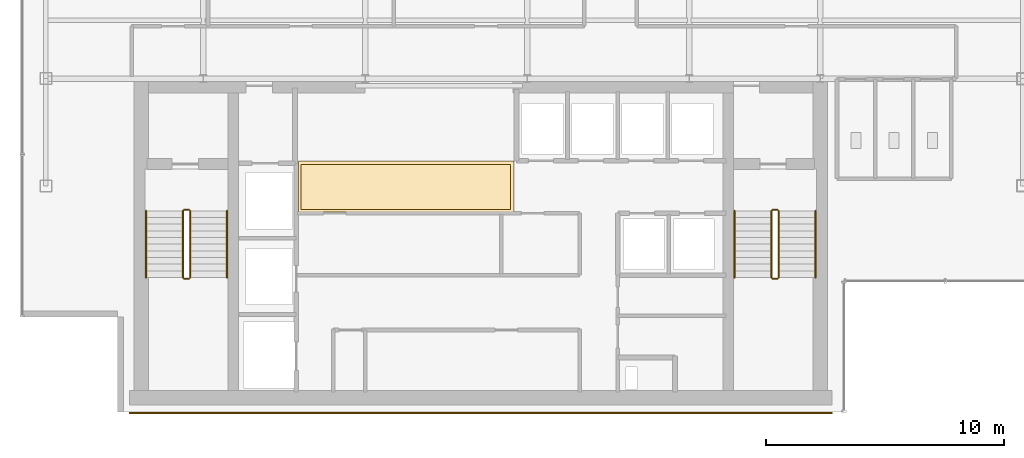
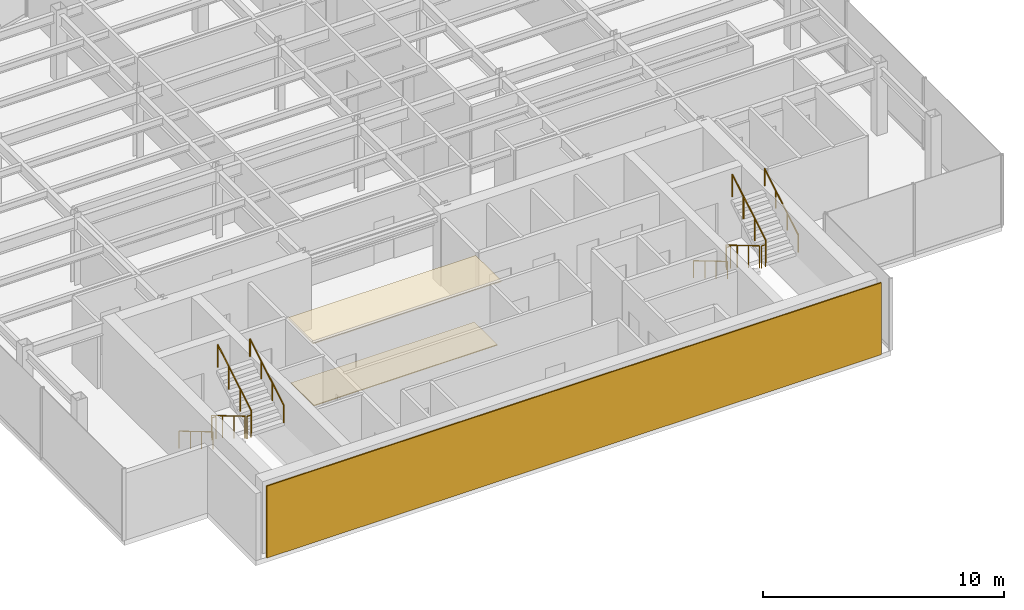
# One storey, part 20 of 22: 12 railings, 3 coverings.
"""IFC4 building model written with IfcOpenShell, lengths in metres."""

from ifc_helpers import new_model, si_unit, derived_unit, direction, frame, origin, origin_2d, place, context, subcontext, project, spatial, polyline, rectangle, circle, outline, extrude, source, transform, mapped, material, layer, layer_set, type_object, element, save


model = new_model("IFC4")

# Units and contexts
model_context = context("Model", 3, precision=1e-05, world=origin(), true_north=direction((0.0, 1.0)))
body_context = subcontext(model_context, "Body", "Model", "MODEL_VIEW")
ifc_project = project(units=[si_unit("LENGTHUNIT", "METRE"), si_unit("AREAUNIT", "SQUARE_METRE"), si_unit("VOLUMEUNIT", "CUBIC_METRE"), si_unit("PLANEANGLEUNIT", "RADIAN"), si_unit("MASSUNIT", "GRAM", prefix="KILO"), derived_unit("THERMALTRANSMITTANCEUNIT", [(si_unit("POWERUNIT", "WATT"), 1), (si_unit("LENGTHUNIT", "METRE"), -2), (si_unit("THERMODYNAMICTEMPERATUREUNIT", "KELVIN"), -1)])], contexts=[model_context])

# Site, building, storey
site_placement = place(None, origin())
site = spatial("IfcSite", under=ifc_project, at=site_placement, CompositionType="ELEMENT")
building_placement = place(site_placement, origin())
building = spatial("IfcBuilding", under=site, at=building_placement, Name="Skarnbrae Concourse Arena and Tower", CompositionType="ELEMENT")
storey_placement = place(building_placement, frame((0.0, 0.0, 195.89990234375)))
storey = spatial("IfcBuildingStorey", under=building, at=storey_placement, Name="L50", CompositionType="ELEMENT", Elevation=195.89990234375)

# Coverings
ifc_material_1 = material(Name="Mineral fibre acoustic ceiling tile", Category="other")
ifc_layer_1 = layer(ifc_material_1, 0.0400390625)
ifc_layer_set_1 = layer_set([ifc_layer_1], Name="Mineral fibre acoustic ceiling tile")
covering_type_1 = type_object("IfcCoveringType", Name="COV-CEIL-ACOUSTIC", PredefinedType="CEILING", material=ifc_layer_set_1)
covering_1_placement = place(storey_placement, frame((0.0, 0.0, 3.239990234375)))
element("IfcCovering", 1, at=covering_1_placement, inside=storey, type_object=covering_type_1, Name="L50 Lift lobby acoustic ceiling", PredefinedType="CEILING", context=body_context, shape_type="SweptSolid", body=[
    extrude(outline(polyline([(11.60009765625, 8.39990234375), (20.64990234375, 8.39990234375), (20.64990234375, 10.550048828125), (11.60009765625, 10.550048828125), (11.60009765625, 8.39990234375)])), origin(), (0.0, 0.0, 1.0), 0.0400390625),
])
ifc_material_2 = material(Name="Polished granite terrazzo flooring", Category="masonry")
ifc_layer_2 = layer(ifc_material_2, 0.0400390625)
ifc_layer_set_2 = layer_set([ifc_layer_2], Name="Polished granite terrazzo flooring")
covering_type_2 = type_object("IfcCoveringType", Name="COV-FLOOR-TERRAZZO", PredefinedType="FLOORING", material=ifc_layer_set_2)
covering_2_placement = place(storey_placement, origin())
element("IfcCovering", 2, at=covering_2_placement, inside=storey, type_object=covering_type_2, Name="L50 Lift lobby terrazzo flooring", PredefinedType="FLOORING", context=body_context, shape_type="SweptSolid", body=[
    extrude(outline(polyline([(11.699951171875, 8.5), (20.5, 8.5), (20.5, 10.39990234375), (11.699951171875, 10.39990234375), (11.699951171875, 8.5)])), origin(), (0.0, 0.0, 1.0), 0.0400390625),
])

# Railings
ifc_material_3 = material(Name="Steel CSA G40.21 350W", Category="steel")
railing_type_1 = type_object("IfcRailingType", Name="RAIL-HANDRAIL-900", PredefinedType="HANDRAIL", material=ifc_material_3)
railing_1_placement = place(storey_placement, frame((5.199951171875, 8.449951171875, 0.166015625)))
element("IfcRailing", 3, at=railing_1_placement, inside=storey, type_object=railing_type_1, Name="L50 ST-1 stair handrail 1", PredefinedType="HANDRAIL", context=body_context, shape_type="SweptSolid", body=[
    extrude(circle(Radius=0.02392578125, at=origin_2d()), frame((0.0, 0.0, 0.8759765625), z_axis=(0.0, -0.860306154799, 0.50977771628), x_axis=(1.0, 0.0, 0.0)), (0.0, 0.0, 1.0), 3.254638671875),
    extrude(circle(Radius=0.02099609375, at=origin_2d()), origin(), (0.0, 0.0, 1.0), 0.851806640625),
    extrude(circle(Radius=0.02099609375, at=origin_2d()), frame((0.0, -0.933349609375, 0.552978515625)), (0.0, 0.0, 1.0), 0.851806640625),
    extrude(circle(Radius=0.02099609375, at=origin_2d()), frame((0.0, -1.86669921875, 1.106201171875)), (0.0, 0.0, 1.0), 0.851806640625),
    extrude(circle(Radius=0.02099609375, at=origin_2d()), frame((0.0, -2.800048828125, 1.6591796875)), (0.0, 0.0, 1.0), 0.851806640625),
])
railing_2_placement = place(storey_placement, frame((8.60009765625, 5.64990234375, 1.990966796875)))
element("IfcRailing", 4, at=railing_2_placement, inside=storey, type_object=railing_type_1, Name="L50 ST-1 stair handrail 2", PredefinedType="HANDRAIL", context=body_context, shape_type="SweptSolid", body=[
    extrude(circle(Radius=0.02392578125, at=origin_2d()), frame((0.0, 0.0, 0.8759765625), z_axis=(0.0, 0.860306154799, 0.50977771628), x_axis=(-1.0, 0.0, 0.0)), (0.0, 0.0, 1.0), 3.254638671875),
    extrude(circle(Radius=0.02099609375, at=origin_2d()), origin(), (0.0, 0.0, 1.0), 0.851806640625),
    extrude(circle(Radius=0.02099609375, at=origin_2d()), frame((0.0, 0.933349609375, 0.552978515625)), (0.0, 0.0, 1.0), 0.851806640625),
    extrude(circle(Radius=0.02099609375, at=origin_2d()), frame((0.0, 1.86669921875, 1.106201171875)), (0.0, 0.0, 1.0), 0.851806640625),
    extrude(circle(Radius=0.02099609375, at=origin_2d()), frame((0.0, 2.800048828125, 1.6591796875)), (0.0, 0.0, 1.0), 0.851806640625),
])
railing_3_placement = place(storey_placement, frame((29.89990234375, 8.449951171875, 0.166015625)))
element("IfcRailing", 5, at=railing_3_placement, inside=storey, type_object=railing_type_1, Name="L50 ST-2 stair handrail 1", PredefinedType="HANDRAIL", context=body_context, shape_type="SweptSolid", body=[
    extrude(circle(Radius=0.02392578125, at=origin_2d()), frame((0.0, 0.0, 0.8759765625), z_axis=(0.0, -0.860306154799, 0.50977771628), x_axis=(1.0, 0.0, 0.0)), (0.0, 0.0, 1.0), 3.254638671875),
    extrude(circle(Radius=0.02099609375, at=origin_2d()), origin(), (0.0, 0.0, 1.0), 0.851806640625),
    extrude(circle(Radius=0.02099609375, at=origin_2d()), frame((0.0, -0.933349609375, 0.552978515625)), (0.0, 0.0, 1.0), 0.851806640625),
    extrude(circle(Radius=0.02099609375, at=origin_2d()), frame((0.0, -1.86669921875, 1.106201171875)), (0.0, 0.0, 1.0), 0.851806640625),
    extrude(circle(Radius=0.02099609375, at=origin_2d()), frame((0.0, -2.800048828125, 1.6591796875)), (0.0, 0.0, 1.0), 0.851806640625),
])
railing_4_placement = place(storey_placement, frame((33.300048828125, 5.64990234375, 1.990966796875)))
element("IfcRailing", 6, at=railing_4_placement, inside=storey, type_object=railing_type_1, Name="L50 ST-2 stair handrail 2", PredefinedType="HANDRAIL", context=body_context, shape_type="SweptSolid", body=[
    extrude(circle(Radius=0.02392578125, at=origin_2d()), frame((0.0, 0.0, 0.8759765625), z_axis=(0.0, 0.860306154799, 0.50977771628), x_axis=(-1.0, 0.0, 0.0)), (0.0, 0.0, 1.0), 3.254638671875),
    extrude(circle(Radius=0.02099609375, at=origin_2d()), origin(), (0.0, 0.0, 1.0), 0.851806640625),
    extrude(circle(Radius=0.02099609375, at=origin_2d()), frame((0.0, 0.933349609375, 0.552978515625)), (0.0, 0.0, 1.0), 0.851806640625),
    extrude(circle(Radius=0.02099609375, at=origin_2d()), frame((0.0, 1.86669921875, 1.106201171875)), (0.0, 0.0, 1.0), 0.851806640625),
    extrude(circle(Radius=0.02099609375, at=origin_2d()), frame((0.0, 2.800048828125, 1.6591796875)), (0.0, 0.0, 1.0), 0.851806640625),
])
railing_type_2 = type_object("IfcRailingType", Name="RAIL-STAIR-GUARD-1150", PredefinedType="GUARDRAIL", material=ifc_material_3)
railing_5_placement = place(storey_placement, frame((6.75, 8.449951171875, 0.166015625)))
element("IfcRailing", 7, at=railing_5_placement, inside=storey, type_object=railing_type_2, Name="L50 ST-1 stair guard 1", PredefinedType="GUARDRAIL", context=body_context, shape_type="SweptSolid", body=[
    extrude(circle(Radius=0.02392578125, at=origin_2d()), frame((0.0, 0.0, 1.1259765625), z_axis=(0.0, -0.860306154799, 0.50977771628), x_axis=(1.0, 0.0, 0.0)), (0.0, 0.0, 1.0), 3.254638671875),
    extrude(circle(Radius=0.02099609375, at=origin_2d()), origin(), (0.0, 0.0, 1.0), 1.101806640625),
    extrude(circle(Radius=0.02099609375, at=origin_2d()), frame((0.0, -0.933349609375, 0.552978515625)), (0.0, 0.0, 1.0), 1.101806640625),
    extrude(circle(Radius=0.02099609375, at=origin_2d()), frame((0.0, -1.86669921875, 1.106201171875)), (0.0, 0.0, 1.0), 1.101806640625),
    extrude(circle(Radius=0.02099609375, at=origin_2d()), frame((0.0, -2.800048828125, 1.6591796875)), (0.0, 0.0, 1.0), 1.101806640625),
])
railing_6_placement = place(storey_placement, frame((6.800048828125, 5.60009765625, 1.8251953125)))
element("IfcRailing", 8, at=railing_6_placement, inside=storey, type_object=railing_type_2, Name="L50 ST-1 stair guard 2", PredefinedType="GUARDRAIL", context=body_context, shape_type="SweptSolid", body=[
    extrude(circle(Radius=0.02392578125, at=origin_2d()), frame((0.0, 0.0, 1.1259765625), z_axis=(1.0, 0.0, 0.0), x_axis=(0.0, 1.0, 0.0)), (0.0, 0.0, 1.0), 0.199951171875),
    extrude(circle(Radius=0.02099609375, at=origin_2d()), origin(), (0.0, 0.0, 1.0), 1.101806640625),
    extrude(circle(Radius=0.02099609375, at=origin_2d()), frame((0.199951171875, 0.0, 0.0)), (0.0, 0.0, 1.0), 1.101806640625),
])
railing_7_placement = place(storey_placement, frame((7.050048828125, 5.64990234375, 1.990966796875)))
element("IfcRailing", 9, at=railing_7_placement, inside=storey, type_object=railing_type_2, Name="L50 ST-1 stair guard 3", PredefinedType="GUARDRAIL", context=body_context, shape_type="SweptSolid", body=[
    extrude(circle(Radius=0.02392578125, at=origin_2d()), frame((0.0, 0.0, 1.1259765625), z_axis=(0.0, 0.860306154799, 0.50977771628), x_axis=(-1.0, 0.0, 0.0)), (0.0, 0.0, 1.0), 3.254638671875),
    extrude(circle(Radius=0.02099609375, at=origin_2d()), origin(), (0.0, 0.0, 1.0), 1.101806640625),
    extrude(circle(Radius=0.02099609375, at=origin_2d()), frame((0.0, 0.933349609375, 0.552978515625)), (0.0, 0.0, 1.0), 1.101806640625),
    extrude(circle(Radius=0.02099609375, at=origin_2d()), frame((0.0, 1.86669921875, 1.106201171875)), (0.0, 0.0, 1.0), 1.101806640625),
    extrude(circle(Radius=0.02099609375, at=origin_2d()), frame((0.0, 2.800048828125, 1.6591796875)), (0.0, 0.0, 1.0), 1.101806640625),
])
railing_8_placement = place(storey_placement, frame((6.800048828125, 8.5, 0.0)))
element("IfcRailing", 10, at=railing_8_placement, inside=storey, type_object=railing_type_2, Name="L50 ST-1 stair guard 4", PredefinedType="GUARDRAIL", context=body_context, shape_type="SweptSolid", body=[
    extrude(circle(Radius=0.02392578125, at=origin_2d()), frame((0.0, 0.0, 1.1259765625), z_axis=(1.0, 0.0, 0.0), x_axis=(0.0, 1.0, 0.0)), (0.0, 0.0, 1.0), 0.199951171875),
    extrude(circle(Radius=0.02099609375, at=origin_2d()), origin(), (0.0, 0.0, 1.0), 1.101806640625),
    extrude(circle(Radius=0.02099609375, at=origin_2d()), frame((0.199951171875, 0.0, 0.0)), (0.0, 0.0, 1.0), 1.101806640625),
])
railing_9_placement = place(storey_placement, frame((31.449951171875, 8.449951171875, 0.166015625)))
element("IfcRailing", 11, at=railing_9_placement, inside=storey, type_object=railing_type_2, Name="L50 ST-2 stair guard 1", PredefinedType="GUARDRAIL", context=body_context, shape_type="SweptSolid", body=[
    extrude(circle(Radius=0.02392578125, at=origin_2d()), frame((0.0, 0.0, 1.1259765625), z_axis=(0.0, -0.860306154799, 0.50977771628), x_axis=(1.0, 0.0, 0.0)), (0.0, 0.0, 1.0), 3.254638671875),
    extrude(circle(Radius=0.02099609375, at=origin_2d()), origin(), (0.0, 0.0, 1.0), 1.101806640625),
    extrude(circle(Radius=0.02099609375, at=origin_2d()), frame((0.0, -0.933349609375, 0.552978515625)), (0.0, 0.0, 1.0), 1.101806640625),
    extrude(circle(Radius=0.02099609375, at=origin_2d()), frame((0.0, -1.86669921875, 1.106201171875)), (0.0, 0.0, 1.0), 1.101806640625),
    extrude(circle(Radius=0.02099609375, at=origin_2d()), frame((0.0, -2.800048828125, 1.6591796875)), (0.0, 0.0, 1.0), 1.101806640625),
])
railing_10_placement = place(storey_placement, frame((31.5, 5.60009765625, 1.8251953125)))
element("IfcRailing", 12, at=railing_10_placement, inside=storey, type_object=railing_type_2, Name="L50 ST-2 stair guard 2", PredefinedType="GUARDRAIL", context=body_context, shape_type="SweptSolid", body=[
    extrude(circle(Radius=0.02392578125, at=origin_2d()), frame((0.0, 0.0, 1.1259765625), z_axis=(1.0, 0.0, 0.0), x_axis=(0.0, 1.0, 0.0)), (0.0, 0.0, 1.0), 0.199951171875),
    extrude(circle(Radius=0.02099609375, at=origin_2d()), origin(), (0.0, 0.0, 1.0), 1.101806640625),
    extrude(circle(Radius=0.02099609375, at=origin_2d()), frame((0.199951171875, 0.0, 0.0)), (0.0, 0.0, 1.0), 1.101806640625),
])
railing_11_placement = place(storey_placement, frame((31.75, 5.64990234375, 1.990966796875)))
element("IfcRailing", 13, at=railing_11_placement, inside=storey, type_object=railing_type_2, Name="L50 ST-2 stair guard 3", PredefinedType="GUARDRAIL", context=body_context, shape_type="SweptSolid", body=[
    extrude(circle(Radius=0.02392578125, at=origin_2d()), frame((0.0, 0.0, 1.1259765625), z_axis=(0.0, 0.860306154799, 0.50977771628), x_axis=(-1.0, 0.0, 0.0)), (0.0, 0.0, 1.0), 3.254638671875),
    extrude(circle(Radius=0.02099609375, at=origin_2d()), origin(), (0.0, 0.0, 1.0), 1.101806640625),
    extrude(circle(Radius=0.02099609375, at=origin_2d()), frame((0.0, 0.933349609375, 0.552978515625)), (0.0, 0.0, 1.0), 1.101806640625),
    extrude(circle(Radius=0.02099609375, at=origin_2d()), frame((0.0, 1.86669921875, 1.106201171875)), (0.0, 0.0, 1.0), 1.101806640625),
    extrude(circle(Radius=0.02099609375, at=origin_2d()), frame((0.0, 2.800048828125, 1.6591796875)), (0.0, 0.0, 1.0), 1.101806640625),
])
railing_12_placement = place(storey_placement, frame((31.5, 8.5, 0.0)))
element("IfcRailing", 14, at=railing_12_placement, inside=storey, type_object=railing_type_2, Name="L50 ST-2 stair guard 4", PredefinedType="GUARDRAIL", context=body_context, shape_type="SweptSolid", body=[
    extrude(circle(Radius=0.02392578125, at=origin_2d()), frame((0.0, 0.0, 1.1259765625), z_axis=(1.0, 0.0, 0.0), x_axis=(0.0, 1.0, 0.0)), (0.0, 0.0, 1.0), 0.199951171875),
    extrude(circle(Radius=0.02099609375, at=origin_2d()), origin(), (0.0, 0.0, 1.0), 1.101806640625),
    extrude(circle(Radius=0.02099609375, at=origin_2d()), frame((0.199951171875, 0.0, 0.0)), (0.0, 0.0, 1.0), 1.101806640625),
])

# Covering
ifc_material_4 = material(Name="Bronze anodised aluminium 6063-T6", Category="aluminium")
ifc_layer_3 = layer(ifc_material_4, 0.06005859375)
ifc_layer_set_3 = layer_set([ifc_layer_3], Name="Bronze anodised aluminium 6063-T6")
covering_type_3 = type_object("IfcCoveringType", Name="COV-CLAD-BRONZE-60", PredefinedType="CLADDING", material=ifc_layer_set_3)
shared_shape = source(origin(), body_context, "Body", "SweptSolid", [
    extrude(rectangle(XDim=29.5, YDim=0.06005859375, at=origin_2d()), origin(), (0.0, 0.0, 1.0), 3.64990234375),
])
covering_3_placement = place(storey_placement, frame((19.25, -0.030029296875, 0.000244140625), z_axis=(0.0, 0.0, 1.0), x_axis=(1.0, 0.0, 0.0)))
element("IfcCovering", 15, at=covering_3_placement, inside=storey, type_object=covering_type_3, Name="L50 Rear-core plumb spine bronze rainscreen panel", PredefinedType="CLADDING", context=body_context, shape_type="MappedRepresentation", body=[
    mapped(shared_shape, transform((0.0, 0.0, 0.0))),
])

save(model, "model.ifc")
